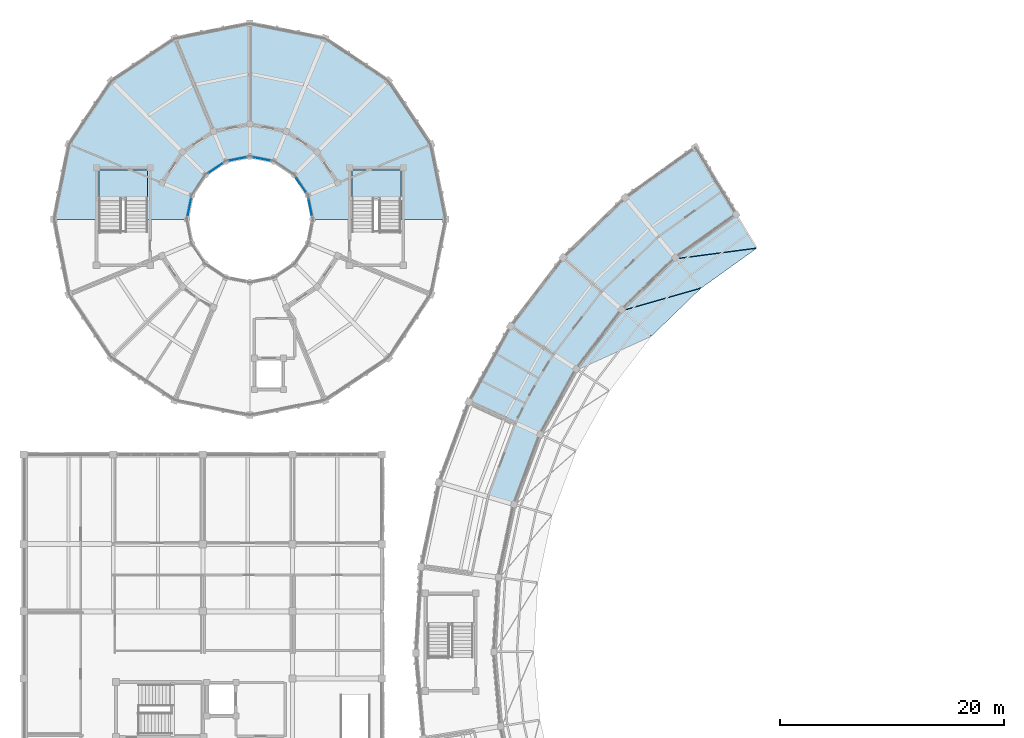
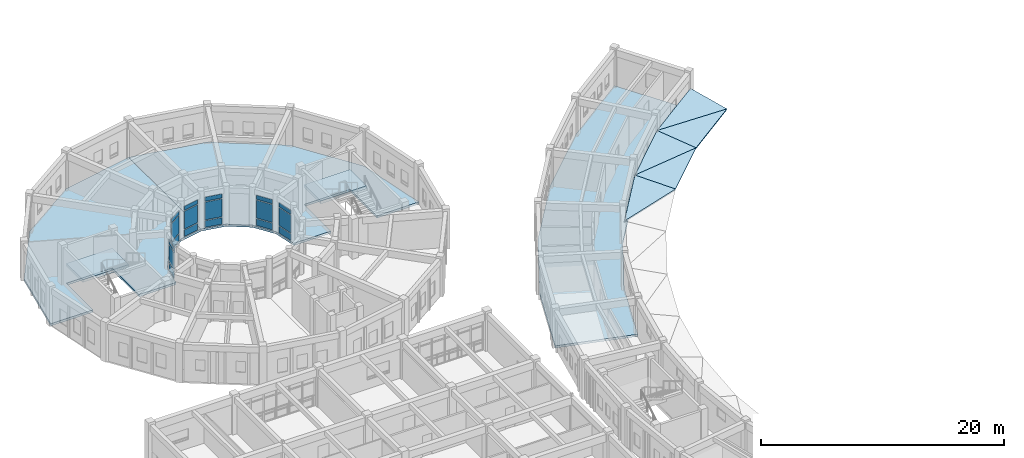
# One storey, part 70 of 112: 18 plates, 10 slabs, 8 elements without a shape of their own.
"""IFC4 building model written with IfcOpenShell, lengths in metres."""

from ifc_helpers import new_model, si_unit, direction, frame, origin, origin_2d, place, context, subcontext, project, spatial, polyline, rectangle, outline, extrude, material, layer, layer_set, type_object, element, aggregate, save


model = new_model("IFC4")

# Units and contexts
model_context = context("Model", 3, precision=1e-05, world=origin(), true_north=direction((0.0, 1.0)))
body_context = subcontext(model_context, "Body", "Model", "MODEL_VIEW")
ifc_project = project(units=[si_unit("LENGTHUNIT", "METRE"), si_unit("AREAUNIT", "SQUARE_METRE"), si_unit("VOLUMEUNIT", "CUBIC_METRE"), si_unit("PLANEANGLEUNIT", "RADIAN"), si_unit("MASSUNIT", "GRAM", prefix="KILO")], contexts=[model_context])

# Site, building, storey
site_placement = place(None, origin())
site = spatial("IfcSite", under=ifc_project, at=site_placement, CompositionType="ELEMENT")
building_placement = place(site_placement, origin())
building = spatial("IfcBuilding", under=site, at=building_placement, Name="Celadon Cloister-Ring School", CompositionType="ELEMENT")
storey_placement = place(building_placement, frame((0.0, 0.0, 8.5)))
storey = spatial("IfcBuildingStorey", under=building, at=storey_placement, Name="L02", CompositionType="ELEMENT", Elevation=8.5)

# Curtain wall, plates
ifc_material_1 = material(Name="Aluminium EN AW-6063 T6", Category="aluminium")
curtain_wall_type = type_object("IfcCurtainWallType", Name="CW-04", PredefinedType="USERDEFINED", material=ifc_material_1)
curtain_wall_1_placement = place(storey_placement, origin())
curtain_wall_1 = element("IfcCurtainWall", 1, at=curtain_wall_1_placement, inside=storey, type_object=curtain_wall_type, Name="Curtain Wall 0103", ObjectType="CURTAIN WALL", PredefinedType="USERDEFINED")
ifc_material_2 = material(Name="Tempered laminated insulating glass", Category="glass")
ifc_layer_1 = layer(ifc_material_2, 0.02001953125)
ifc_layer_set_1 = layer_set([ifc_layer_1], Name="Tempered laminated insulating glass")
plate_type = type_object("IfcPlateType", Name="CPN-01", PredefinedType="CURTAIN_PANEL", material=ifc_layer_set_1)
plate_1_placement = place(storey_placement, frame((25.5869140625, 98.071533203125, 0.090087890625), z_axis=(0.0, 0.0, 1.0), x_axis=(-0.194586131301, 0.980885435464, 0.0)))
plate_1 = element("IfcPlate", 2, at=plate_1_placement, type_object=plate_type, Name="CW-04 panel 1.1", PredefinedType="CURTAIN_PANEL", context=body_context, shape_type="SweptSolid", body=[
    extrude(rectangle(XDim=1.4443359375, YDim=0.02001953125, at=origin_2d()), origin(), (0.0, 0.0, 1.0), 0.6650390625),
])
plate_2_placement = place(storey_placement, frame((25.5869140625, 98.071533203125, 0.84521484375), z_axis=(0.0, 0.0, 1.0), x_axis=(-0.194586131301, 0.980885435464, 0.0)))
plate_2 = element("IfcPlate", 3, at=plate_2_placement, type_object=plate_type, Name="CW-04 panel 1.2", PredefinedType="CURTAIN_PANEL", context=body_context, shape_type="SweptSolid", body=[
    extrude(rectangle(XDim=1.4443359375, YDim=0.02001953125, at=origin_2d()), origin(), (0.0, 0.0, 1.0), 1.781982421875),
])
plate_3_placement = place(storey_placement, frame((25.5869140625, 98.071533203125, 2.717041015625), z_axis=(0.0, 0.0, 1.0), x_axis=(-0.194586131301, 0.980885435464, 0.0)))
plate_3 = element("IfcPlate", 4, at=plate_3_placement, type_object=plate_type, Name="CW-04 panel 1.3", PredefinedType="CURTAIN_PANEL", context=body_context, shape_type="SweptSolid", body=[
    extrude(rectangle(XDim=1.4443359375, YDim=0.02001953125, at=origin_2d()), origin(), (0.0, 0.0, 1.0), 0.4150390625),
])
aggregate(curtain_wall_1, [plate_1, plate_2, plate_3])

curtain_wall_2_placement = place(storey_placement, origin())
curtain_wall_2 = element("IfcCurtainWall", 5, at=curtain_wall_2_placement, inside=storey, type_object=curtain_wall_type, Name="Curtain Wall 0104", ObjectType="CURTAIN WALL", PredefinedType="USERDEFINED")
plate_4_placement = place(storey_placement, frame((24.76708984375, 100.051513671875, 0.090087890625), z_axis=(0.0, 0.0, 1.0), x_axis=(-0.555547066224, 0.831485091394, 0.0)))
plate_4 = element("IfcPlate", 6, at=plate_4_placement, type_object=plate_type, Name="CW-04 panel 1.1", PredefinedType="CURTAIN_PANEL", context=body_context, shape_type="SweptSolid", body=[
    extrude(rectangle(XDim=1.4443359375, YDim=0.02001953125, at=origin_2d()), origin(), (0.0, 0.0, 1.0), 0.6650390625),
])
plate_5_placement = place(storey_placement, frame((24.76708984375, 100.051513671875, 0.84521484375), z_axis=(0.0, 0.0, 1.0), x_axis=(-0.555547066224, 0.831485091394, 0.0)))
plate_5 = element("IfcPlate", 7, at=plate_5_placement, type_object=plate_type, Name="CW-04 panel 1.2", PredefinedType="CURTAIN_PANEL", context=body_context, shape_type="SweptSolid", body=[
    extrude(rectangle(XDim=1.4443359375, YDim=0.02001953125, at=origin_2d()), origin(), (0.0, 0.0, 1.0), 1.781982421875),
])
plate_6_placement = place(storey_placement, frame((24.76708984375, 100.051513671875, 2.717041015625), z_axis=(0.0, 0.0, 1.0), x_axis=(-0.555547066224, 0.831485091394, 0.0)))
plate_6 = element("IfcPlate", 8, at=plate_6_placement, type_object=plate_type, Name="CW-04 panel 1.3", PredefinedType="CURTAIN_PANEL", context=body_context, shape_type="SweptSolid", body=[
    extrude(rectangle(XDim=1.4443359375, YDim=0.02001953125, at=origin_2d()), origin(), (0.0, 0.0, 1.0), 0.4150390625),
])
aggregate(curtain_wall_2, [plate_4, plate_5, plate_6])

curtain_wall_3_placement = place(storey_placement, origin())
curtain_wall_3 = element("IfcCurtainWall", 9, at=curtain_wall_3_placement, inside=storey, type_object=curtain_wall_type, Name="Curtain Wall 0105", ObjectType="CURTAIN WALL", PredefinedType="USERDEFINED")
plate_7_placement = place(storey_placement, frame((21.271484375, 102.386962890625, 0.090087890625), z_axis=(0.0, 0.0, 1.0), x_axis=(-0.980885435464, 0.194586131301, 0.0)))
plate_7 = element("IfcPlate", 10, at=plate_7_placement, type_object=plate_type, Name="CW-04 panel 1.1", PredefinedType="CURTAIN_PANEL", context=body_context, shape_type="SweptSolid", body=[
    extrude(rectangle(XDim=1.4443359375, YDim=0.02001953125, at=origin_2d()), origin(), (0.0, 0.0, 1.0), 0.6650390625),
])
plate_8_placement = place(storey_placement, frame((21.271484375, 102.386962890625, 0.84521484375), z_axis=(0.0, 0.0, 1.0), x_axis=(-0.980885435464, 0.194586131301, 0.0)))
plate_8 = element("IfcPlate", 11, at=plate_8_placement, type_object=plate_type, Name="CW-04 panel 1.2", PredefinedType="CURTAIN_PANEL", context=body_context, shape_type="SweptSolid", body=[
    extrude(rectangle(XDim=1.4443359375, YDim=0.02001953125, at=origin_2d()), origin(), (0.0, 0.0, 1.0), 1.781982421875),
])
plate_9_placement = place(storey_placement, frame((21.271484375, 102.386962890625, 2.717041015625), z_axis=(0.0, 0.0, 1.0), x_axis=(-0.980885435464, 0.194586131301, 0.0)))
plate_9 = element("IfcPlate", 12, at=plate_9_placement, type_object=plate_type, Name="CW-04 panel 1.3", PredefinedType="CURTAIN_PANEL", context=body_context, shape_type="SweptSolid", body=[
    extrude(rectangle(XDim=1.4443359375, YDim=0.02001953125, at=origin_2d()), origin(), (0.0, 0.0, 1.0), 0.4150390625),
])
aggregate(curtain_wall_3, [plate_7, plate_8, plate_9])

curtain_wall_4_placement = place(storey_placement, origin())
curtain_wall_4 = element("IfcCurtainWall", 13, at=curtain_wall_4_placement, inside=storey, type_object=curtain_wall_type, Name="Curtain Wall 0106", ObjectType="CURTAIN WALL", PredefinedType="USERDEFINED")
plate_10_placement = place(storey_placement, frame((19.12841796875, 102.386962890625, 0.090087890625), z_axis=(0.0, 0.0, 1.0), x_axis=(-0.980885435464, -0.194586131301, 0.0)))
plate_10 = element("IfcPlate", 14, at=plate_10_placement, type_object=plate_type, Name="CW-04 panel 1.1", PredefinedType="CURTAIN_PANEL", context=body_context, shape_type="SweptSolid", body=[
    extrude(rectangle(XDim=1.4443359375, YDim=0.02001953125, at=origin_2d()), origin(), (0.0, 0.0, 1.0), 0.6650390625),
])
plate_11_placement = place(storey_placement, frame((19.12841796875, 102.386962890625, 0.84521484375), z_axis=(0.0, 0.0, 1.0), x_axis=(-0.980885435464, -0.194586131301, 0.0)))
plate_11 = element("IfcPlate", 15, at=plate_11_placement, type_object=plate_type, Name="CW-04 panel 1.2", PredefinedType="CURTAIN_PANEL", context=body_context, shape_type="SweptSolid", body=[
    extrude(rectangle(XDim=1.4443359375, YDim=0.02001953125, at=origin_2d()), origin(), (0.0, 0.0, 1.0), 1.781982421875),
])
plate_12_placement = place(storey_placement, frame((19.12841796875, 102.386962890625, 2.717041015625), z_axis=(0.0, 0.0, 1.0), x_axis=(-0.980885435464, -0.194586131301, 0.0)))
plate_12 = element("IfcPlate", 16, at=plate_12_placement, type_object=plate_type, Name="CW-04 panel 1.3", PredefinedType="CURTAIN_PANEL", context=body_context, shape_type="SweptSolid", body=[
    extrude(rectangle(XDim=1.4443359375, YDim=0.02001953125, at=origin_2d()), origin(), (0.0, 0.0, 1.0), 0.4150390625),
])
aggregate(curtain_wall_4, [plate_10, plate_11, plate_12])

curtain_wall_5_placement = place(storey_placement, origin())
curtain_wall_5 = element("IfcCurtainWall", 17, at=curtain_wall_5_placement, inside=storey, type_object=curtain_wall_type, Name="Curtain Wall 0107", ObjectType="CURTAIN WALL", PredefinedType="USERDEFINED")
plate_13_placement = place(storey_placement, frame((17.1484375, 101.56689453125, 0.090087890625), z_axis=(0.0, 0.0, 1.0), x_axis=(-0.831485091394, -0.555547066224, 0.0)))
plate_13 = element("IfcPlate", 18, at=plate_13_placement, type_object=plate_type, Name="CW-04 panel 1.1", PredefinedType="CURTAIN_PANEL", context=body_context, shape_type="SweptSolid", body=[
    extrude(rectangle(XDim=1.4443359375, YDim=0.02001953125, at=origin_2d()), origin(), (0.0, 0.0, 1.0), 0.6650390625),
])
plate_14_placement = place(storey_placement, frame((17.1484375, 101.56689453125, 0.84521484375), z_axis=(0.0, 0.0, 1.0), x_axis=(-0.831485091394, -0.555547066224, 0.0)))
plate_14 = element("IfcPlate", 19, at=plate_14_placement, type_object=plate_type, Name="CW-04 panel 1.2", PredefinedType="CURTAIN_PANEL", context=body_context, shape_type="SweptSolid", body=[
    extrude(rectangle(XDim=1.4443359375, YDim=0.02001953125, at=origin_2d()), origin(), (0.0, 0.0, 1.0), 1.781982421875),
])
plate_15_placement = place(storey_placement, frame((17.1484375, 101.56689453125, 2.717041015625), z_axis=(0.0, 0.0, 1.0), x_axis=(-0.831485091394, -0.555547066224, 0.0)))
plate_15 = element("IfcPlate", 20, at=plate_15_placement, type_object=plate_type, Name="CW-04 panel 1.3", PredefinedType="CURTAIN_PANEL", context=body_context, shape_type="SweptSolid", body=[
    extrude(rectangle(XDim=1.4443359375, YDim=0.02001953125, at=origin_2d()), origin(), (0.0, 0.0, 1.0), 0.4150390625),
])
aggregate(curtain_wall_5, [plate_13, plate_14, plate_15])

curtain_wall_6_placement = place(storey_placement, origin())
curtain_wall_6 = element("IfcCurtainWall", 21, at=curtain_wall_6_placement, inside=storey, type_object=curtain_wall_type, Name="Curtain Wall 0108", ObjectType="CURTAIN WALL", PredefinedType="USERDEFINED")
plate_16_placement = place(storey_placement, frame((14.81298828125, 98.071533203125, 0.090087890625), z_axis=(0.0, 0.0, 1.0), x_axis=(-0.194586131301, -0.980885435464, 0.0)))
plate_16 = element("IfcPlate", 22, at=plate_16_placement, type_object=plate_type, Name="CW-04 panel 1.1", PredefinedType="CURTAIN_PANEL", context=body_context, shape_type="SweptSolid", body=[
    extrude(rectangle(XDim=1.4443359375, YDim=0.02001953125, at=origin_2d()), origin(), (0.0, 0.0, 1.0), 0.6650390625),
])
plate_17_placement = place(storey_placement, frame((14.81298828125, 98.071533203125, 0.84521484375), z_axis=(0.0, 0.0, 1.0), x_axis=(-0.194586131301, -0.980885435464, 0.0)))
plate_17 = element("IfcPlate", 23, at=plate_17_placement, type_object=plate_type, Name="CW-04 panel 1.2", PredefinedType="CURTAIN_PANEL", context=body_context, shape_type="SweptSolid", body=[
    extrude(rectangle(XDim=1.4443359375, YDim=0.02001953125, at=origin_2d()), origin(), (0.0, 0.0, 1.0), 1.781982421875),
])
plate_18_placement = place(storey_placement, frame((14.81298828125, 98.071533203125, 2.717041015625), z_axis=(0.0, 0.0, 1.0), x_axis=(-0.194586131301, -0.980885435464, 0.0)))
plate_18 = element("IfcPlate", 24, at=plate_18_placement, type_object=plate_type, Name="CW-04 panel 1.3", PredefinedType="CURTAIN_PANEL", context=body_context, shape_type="SweptSolid", body=[
    extrude(rectangle(XDim=1.4443359375, YDim=0.02001953125, at=origin_2d()), origin(), (0.0, 0.0, 1.0), 0.4150390625),
])
aggregate(curtain_wall_6, [plate_16, plate_17, plate_18])

# Slabs
ifc_material_3 = material(Name="Concrete C35/45", Category="concrete")
ifc_layer_2 = layer(ifc_material_3, 0.219970703125)
ifc_layer_set_2 = layer_set([ifc_layer_2], Name="Concrete C35/45")
slab_type_1 = type_object("IfcSlabType", Name="SL-FL2", PredefinedType="FLOOR", material=ifc_layer_set_2)
slab_1_placement = place(storey_placement, frame((0.0, 0.0, -0.219970703125)))
element("IfcSlab", 25, at=slab_1_placement, inside=storey, type_object=slab_type_1, Name="Ring L02 Sector 0015", PredefinedType="FLOOR", context=body_context, shape_type="SweptSolid", body=[
    extrude(outline(polyline([(63.60791015625, 97.44189453125), (58.18505859375, 93.56494140625), (53.39501953125, 88.927978515625), (49.342041015625, 83.635009765625), (46.115966796875, 77.801025390625), (43.787109375, 71.554931640625), (37.06494140625, 73.508056640625), (39.756103515625, 80.72607421875), (43.48388671875, 87.467041015625), (48.16796875, 93.583984375), (53.702880859375, 98.94091796875), (59.968994140625, 103.422119140625), (63.60791015625, 97.44189453125)])), origin(), (0.0, 0.0, 1.0), 0.219970703125),
])
slab_2_placement = place(storey_placement, frame((0.0, 0.0, -0.219970703125)))
element("IfcSlab", 26, at=slab_2_placement, inside=storey, type_object=slab_type_1, Name="V3 Ring L02 Sector 0037", PredefinedType="FLOOR", context=body_context, shape_type="SweptSolid", body=[
    extrude(outline(polyline([(25.800048828125, 97.0), (25.3740234375, 99.14306640625), (24.159912109375, 100.9599609375), (22.343017578125, 102.174072265625), (20.199951171875, 102.60009765625), (20.199951171875, 114.5), (26.89697265625, 113.16796875), (32.573974609375, 109.3740234375), (36.367919921875, 103.697021484375), (37.699951171875, 97.0), (33.679931640625, 97.0), (33.679931640625, 101.39990234375), (29.320068359375, 101.39990234375), (29.320068359375, 97.0), (25.800048828125, 97.0)])), origin(), (0.0, 0.0, 1.0), 0.219970703125),
])
slab_3_placement = place(storey_placement, frame((0.0, 0.0, -0.219970703125)))
element("IfcSlab", 27, at=slab_3_placement, inside=storey, type_object=slab_type_1, Name="V3 Ring L02 Sector 0038", PredefinedType="FLOOR", context=body_context, shape_type="SweptSolid", body=[
    extrude(outline(polyline([(2.699951171875, 97.0), (4.031982421875, 103.697021484375), (7.825927734375, 109.3740234375), (13.5029296875, 113.16796875), (20.199951171875, 114.5), (20.199951171875, 102.60009765625), (18.056884765625, 102.174072265625), (16.239990234375, 100.9599609375), (15.02587890625, 99.14306640625), (14.60009765625, 97.0), (11.080078125, 97.0), (11.080078125, 101.39990234375), (6.719970703125, 101.39990234375), (6.719970703125, 97.0), (2.699951171875, 97.0)])), origin(), (0.0, 0.0, 1.0), 0.219970703125),
])

# Stair, slab
ifc_material_4 = material(Name="Concrete C35/45", Category="concrete")
stair_type_1 = type_object("IfcStairType", Name="ST-02", PredefinedType="HALF_TURN_STAIR", material=ifc_material_4)
stair_1_placement = place(storey_placement, origin())
stair_1 = element("IfcStair", 28, at=stair_1_placement, inside=storey, type_object=stair_type_1, Name="Exit Stair ST-V3A L02", PredefinedType="HALF_TURN_STAIR")
ifc_material_5 = material(Name="Concrete C35/45", Category="concrete")
ifc_layer_3 = layer(ifc_material_5, 0.280029296875)
ifc_layer_set_3 = layer_set([ifc_layer_3], Name="Concrete C35/45")
slab_type_2 = type_object("IfcSlabType", Name="SL-LD1", PredefinedType="LANDING", material=ifc_layer_set_3)
slab_4_placement = place(storey_placement, frame((0.0, 0.0, 1.719970703125)))
slab_4 = element("IfcSlab", 29, at=slab_4_placement, type_object=slab_type_2, Name="ST-02 landing 1", PredefinedType="LANDING", context=body_context, shape_type="SweptSolid", body=[
    extrude(outline(polyline([(6.719970703125, 98.68994140625), (11.080078125, 98.68994140625), (11.080078125, 101.39990234375), (6.719970703125, 101.39990234375), (6.719970703125, 98.68994140625)])), origin(), (0.0, 0.0, 1.0), 0.280029296875),
])
aggregate(stair_1, [slab_4])

ifc_material_6 = material(Name="Concrete C35/45", Category="concrete")
stair_type_2 = type_object("IfcStairType", Name="ST-04", PredefinedType="HALF_TURN_STAIR", material=ifc_material_6)
stair_2_placement = place(storey_placement, origin())
stair_2 = element("IfcStair", 30, at=stair_2_placement, inside=storey, type_object=stair_type_2, Name="Exit Stair ST-V3B L02", PredefinedType="HALF_TURN_STAIR")
ifc_material_7 = material(Name="Concrete C35/45", Category="concrete")
ifc_layer_4 = layer(ifc_material_7, 0.300048828125)
ifc_layer_set_4 = layer_set([ifc_layer_4], Name="Concrete C35/45")
slab_type_3 = type_object("IfcSlabType", Name="SL-LD2", PredefinedType="LANDING", material=ifc_layer_set_4)
slab_5_placement = place(storey_placement, frame((0.0, 0.0, 1.699951171875)))
slab_5 = element("IfcSlab", 31, at=slab_5_placement, type_object=slab_type_3, Name="ST-04 landing 1", PredefinedType="LANDING", context=body_context, shape_type="SweptSolid", body=[
    extrude(outline(polyline([(29.320068359375, 98.68994140625), (33.679931640625, 98.68994140625), (33.679931640625, 101.39990234375), (29.320068359375, 101.39990234375), (29.320068359375, 98.68994140625)])), origin(), (0.0, 0.0, 1.0), 0.300048828125),
])
aggregate(stair_2, [slab_5])

# Slabs
ifc_material_8 = material(Name="Concrete C35/45", Category="concrete")
ifc_layer_5 = layer(ifc_material_8, 0.179931640625)
ifc_layer_set_5 = layer_set([ifc_layer_5], Name="Concrete C35/45")
slab_type_4 = type_object("IfcSlabType", Name="SL-RF1", PredefinedType="ROOF", material=ifc_layer_set_5)
slab_6_placement = place(storey_placement, frame((65.4541015625, 94.409912109375, 1.199951171875), z_axis=(0.150722731446, -0.210802420798, 0.965839012264), x_axis=(-0.502274884993, 0.825170808587, 0.258482255795)))
element("IfcSlab", 32, at=slab_6_placement, inside=storey, type_object=slab_type_4, Name="Conical Lower Roof Inner Tri 0001", PredefinedType="ROOF", context=body_context, shape_type="SweptSolid", body=[
    extrude(outline(polyline([(0.0, 0.0), (3.5400459489426557, -1.3877787807814457e-16), (3.0657544753001567, 6.6299476455727175), (0.0, 0.0)])), origin(), (0.0, 0.0, -1.0), 0.179931640625),
])
slab_7_placement = place(storey_placement, frame((65.4541015625, 94.409912109375, 1.199951171875), z_axis=(0.150718979145, -0.210765519329, 0.965847651127), x_axis=(-0.983654363745, -0.129349044774, 0.125271374628)))
element("IfcSlab", 33, at=slab_7_placement, inside=storey, type_object=slab_type_4, Name="Conical Lower Roof Outer Tri 0002", PredefinedType="ROOF", context=body_context, shape_type="SweptSolid", body=[
    extrude(outline(polyline([(0.0, 0.0), (7.3044545508790835, 1.3877787807814457e-16), (5.3755063858180225, 2.9689163507455296), (0.0, 0.0)])), origin(), (0.0, 0.0, -1.0), 0.179931640625),
])
slab_8_placement = place(storey_placement, frame((60.458984375, 90.837890625, 1.199951171875), z_axis=(0.180192663915, -0.18619718287, 0.965847406665), x_axis=(-0.618536078824, 0.742036426335, 0.258447405065)))
element("IfcSlab", 34, at=slab_8_placement, inside=storey, type_object=slab_type_4, Name="Conical Lower Roof Inner Tri 0005", PredefinedType="ROOF", context=body_context, shape_type="SweptSolid", body=[
    extrude(outline(polyline([(0.0, 0.0), (3.5405233117742054, -1.214306433183765e-16), (3.0648625904043842, 6.630760888803335), (0.0, 0.0)])), origin(), (0.0, 0.0, -1.0), 0.179931640625),
])
slab_9_placement = place(storey_placement, frame((60.458984375, 90.837890625, 1.199951171875), z_axis=(0.180189282846, -0.186183918871, 0.965850594399), x_axis=(-0.953759639396, -0.273223711394, 0.125265133982)))
element("IfcSlab", 35, at=slab_9_placement, inside=storey, type_object=slab_type_4, Name="Conical Lower Roof Outer Tri 0006", PredefinedType="ROOF", context=body_context, shape_type="SweptSolid", body=[
    extrude(outline(polyline([(0.0, 0.0), (7.304818455139338, -2.220446049250313e-16), (5.375960656457468, 2.9691382832076725), (0.0, 0.0)])), origin(), (0.0, 0.0, -1.0), 0.179931640625),
])
slab_10_placement = place(storey_placement, frame((56.0458984375, 86.56689453125, 1.199951171875), z_axis=(0.20573063381, -0.157512070439, 0.965849291545), x_axis=(-0.72132171516, 0.642576910771, 0.258437414054)))
element("IfcSlab", 36, at=slab_10_placement, inside=storey, type_object=slab_type_4, Name="Conical Lower Roof Inner Tri 0009", PredefinedType="ROOF", context=body_context, shape_type="SweptSolid", body=[
    extrude(outline(polyline([(0.0, 0.0), (3.5406601859462983, -6.938893903907228e-17), (3.0639626262219823, 6.630283160933753), (0.0, 0.0)])), origin(), (0.0, 0.0, -1.0), 0.179931640625),
])

save(model, "model.ifc")
